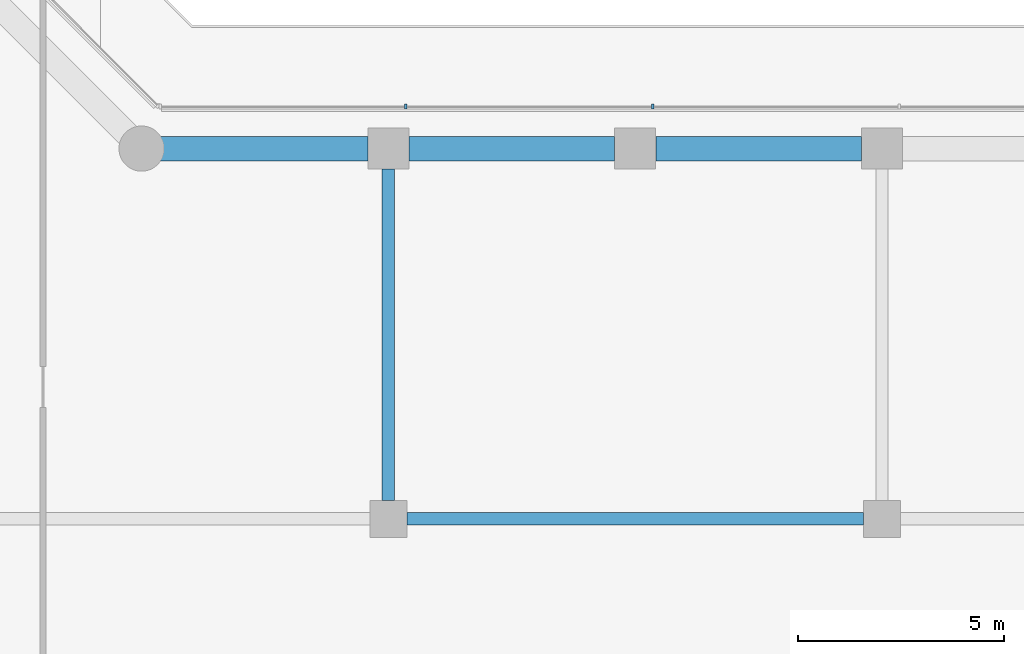
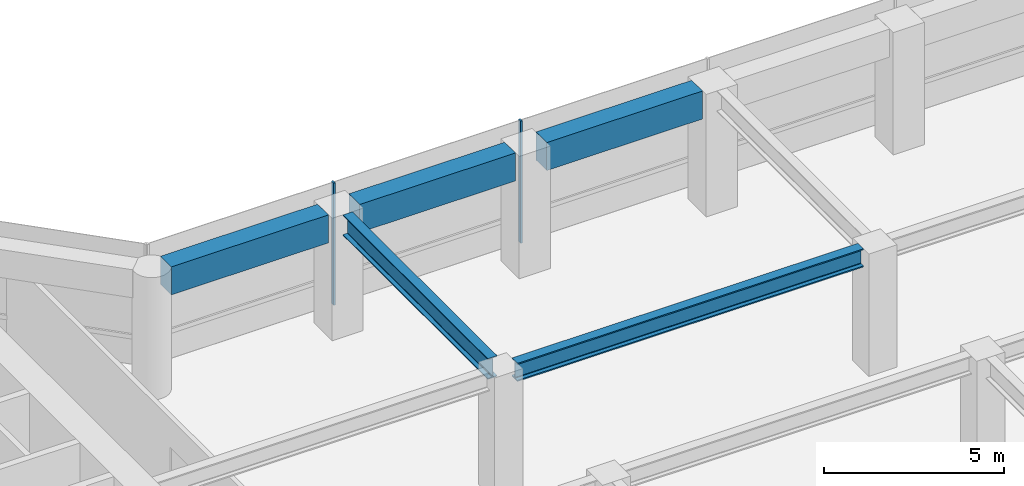
# One storey, part 8 of 24: 5 beams, 2 members, 1 element without a shape of its own.
"""IFC4 building model written with IfcOpenShell, lengths in metres."""

from ifc_helpers import new_model, si_unit, direction, frame, origin, origin_2d, place, context, subcontext, project, spatial, rectangle, i_section, extrude, material, layer, layer_set, material_profile, profile_set, type_object, element, aggregate, save


model = new_model("IFC4")

# Units and contexts
model_context = context("Model", 3, precision=1e-05, world=origin(), true_north=direction((0.0, 1.0)))
body_context = subcontext(model_context, "Body", "Model", "MODEL_VIEW")
ifc_project = project(units=[si_unit("LENGTHUNIT", "METRE"), si_unit("AREAUNIT", "SQUARE_METRE"), si_unit("VOLUMEUNIT", "CUBIC_METRE"), si_unit("PLANEANGLEUNIT", "RADIAN"), si_unit("MASSUNIT", "GRAM", prefix="KILO")], contexts=[model_context])

# Site, building, storey
site_placement = place(None, origin())
site = spatial("IfcSite", under=ifc_project, at=site_placement, CompositionType="ELEMENT")
building_placement = place(site_placement, origin())
building = spatial("IfcBuilding", under=site, at=building_placement, Name="Welwitschia Terrace Campus", CompositionType="ELEMENT")
storey_placement = place(building_placement, frame((0.0, 0.0, 15.5)))
storey = spatial("IfcBuildingStorey", under=building, at=storey_placement, Name="L03", CompositionType="ELEMENT", Elevation=15.5)

# Beam
ifc_material_1 = material(Name="Steel S355", Category="steel")
ifc_material_profile_1 = material_profile(ifc_material_1, i_section(OverallWidth=0.304931640625, OverallDepth=0.6201171875, WebThickness=0.02099609375, FlangeThickness=0.0400390625, FilletRadius=0.027099609375, at=origin_2d()))
ifc_profile_set_1 = profile_set([ifc_material_profile_1], Name="Steel S355")
beam_type_1 = type_object("IfcBeamType", Name="Interior girder HE 600 M", PredefinedType="BEAM", material=ifc_profile_set_1)
beam_1_placement = place(storey_placement, frame((36.450439453125, 11.0, 3.840087890625), z_axis=(1.0, 0.0, 0.0), x_axis=(0.0, 1.0, 0.0)))
element("IfcBeam", 1, at=beam_1_placement, inside=storey, type_object=beam_type_1, Name="Girder GB1", PredefinedType="BEAM", context=body_context, shape_type="SweptSolid", body=[
    extrude(i_section(OverallWidth=0.304931640625, OverallDepth=0.6201171875, WebThickness=0.02099609375, FlangeThickness=0.0400390625, FilletRadius=0.027099609375, at=origin_2d()), origin(), (0.0, 0.0, 1.0), 11.09912109375),
])

# Curtain wall, members
ifc_material_2 = material(Name="Bronze anodised aluminium", Category="aluminium")
ifc_layer = layer(ifc_material_2, 0.1201171875)
ifc_layer_set = layer_set([ifc_layer], Name="Bronze anodised aluminium")
curtain_wall_type = type_object("IfcCurtainWallType", Name="Curtain wall CW2 tower 6000", PredefinedType="NOTDEFINED", material=ifc_layer_set)
curtain_wall_placement = place(storey_placement, origin())
curtain_wall = element("IfcCurtainWall", 2, at=curtain_wall_placement, inside=storey, type_object=curtain_wall_type, Name="CW L03.5.0", PredefinedType="NOTDEFINED")
ifc_material_3 = material(Name="Bronze anodised aluminium", Category="aluminium")
ifc_material_profile_2 = material_profile(ifc_material_3, rectangle(XDim=0.1201171875, YDim=0.06005859375, at=origin_2d()))
ifc_profile_set_2 = profile_set([ifc_material_profile_2], Name="Bronze anodised aluminium")
member_type = type_object("IfcMemberType", Name="Mullion 60x120", PredefinedType="MULLION", material=ifc_profile_set_2)
member_1_placement = place(storey_placement, frame((42.422607421875, 21.02001953125, 0.0), z_axis=(0.0, 0.0, 1.0), x_axis=(0.0, -1.0, 0.0)))
member_1 = element("IfcMember", 3, at=member_1_placement, type_object=member_type, Name="Mullion L03.5.0.3", PredefinedType="MULLION", context=body_context, shape_type="SweptSolid", body=[
    extrude(rectangle(XDim=0.1201171875, YDim=0.06005859375, at=origin_2d()), origin(), (0.0, 0.0, 1.0), 4.14990234375),
])
member_2_placement = place(storey_placement, frame((36.422607421875, 21.02001953125, 0.0), z_axis=(0.0, 0.0, 1.0), x_axis=(0.0, -1.0, 0.0)))
member_2 = element("IfcMember", 4, at=member_2_placement, type_object=member_type, Name="Mullion L03.5.0.4", PredefinedType="MULLION", context=body_context, shape_type="SweptSolid", body=[
    extrude(rectangle(XDim=0.1201171875, YDim=0.06005859375, at=origin_2d()), origin(), (0.0, 0.0, 1.0), 4.14990234375),
])
aggregate(curtain_wall, [member_1, member_2])

# Beams
ifc_material_4 = material(Name="Steel S355", Category="steel")
ifc_material_profile_3 = material_profile(ifc_material_4, i_section(OverallWidth=0.300048828125, OverallDepth=0.699951171875, WebThickness=0.01708984375, FlangeThickness=0.031982421875, FilletRadius=0.027099609375, at=origin_2d()))
ifc_profile_set_3 = profile_set([ifc_material_profile_3], Name="Steel S355")
beam_type_2 = type_object("IfcBeamType", Name="Primary beam HE 700 B", PredefinedType="BEAM", material=ifc_profile_set_3)
beam_2_placement = place(storey_placement, frame((36.0, 19.49951171875, 3.800048828125), z_axis=(0.0, -1.0, 0.0), x_axis=(1.0, 0.0, 0.0)))
element("IfcBeam", 5, at=beam_2_placement, inside=storey, type_object=beam_type_2, Name="Primary beam PB1", PredefinedType="BEAM", context=body_context, shape_type="SweptSolid", body=[
    extrude(i_section(OverallWidth=0.300048828125, OverallDepth=0.699951171875, WebThickness=0.01708984375, FlangeThickness=0.031982421875, FilletRadius=0.027099609375, at=origin_2d()), origin(), (0.0, 0.0, 1.0), 8.049072265625),
])
ifc_material_5 = material(Name="Concrete C60/75", Category="concrete")
ifc_material_profile_4 = material_profile(ifc_material_5, rectangle(XDim=0.60009765625, YDim=0.949951171875, at=origin_2d()))
ifc_profile_set_4 = profile_set([ifc_material_profile_4], Name="Concrete C60/75")
beam_type_3 = type_object("IfcBeamType", Name="Ring spandrel 600x950", PredefinedType="SPANDREL", material=ifc_profile_set_4)
for number, where, z_axis, x_axis, name in (
    (6, (47.49951171875, 20.0, 3.675048828125), (-1.0, 0.0, 0.0), (0.0, -1.0, 0.0), "Spandrel SP1"),
    (7, (41.49951171875, 20.0, 3.675048828125), (-1.0, 0.0, 0.0), (0.0, -1.0, 0.0), "Spandrel SP1"),
):
    element("IfcBeam", number, at=place(storey_placement, frame(where, z_axis=z_axis, x_axis=x_axis)), inside=storey, type_object=beam_type_3, Name=name, PredefinedType="SPANDREL", context=body_context, shape_type="SweptSolid", body=[
        extrude(rectangle(XDim=0.60009765625, YDim=0.949951171875, at=origin_2d()), origin(), (0.0, 0.0, 1.0), 4.9990234375),
    ])
beam_3_placement = place(storey_placement, frame((35.49951171875, 20.0, 3.675048828125), z_axis=(-1.0, 0.0, 0.0), x_axis=(0.0, -1.0, 0.0)))
element("IfcBeam", 8, at=beam_3_placement, inside=storey, type_object=beam_type_3, Name="Spandrel SP1", PredefinedType="SPANDREL", context=body_context, shape_type="SweptSolid", body=[
    extrude(rectangle(XDim=0.60009765625, YDim=0.949951171875, at=origin_2d()), origin(), (0.0, 0.0, 1.0), 5.0380859375),
])

save(model, "model.ifc")
